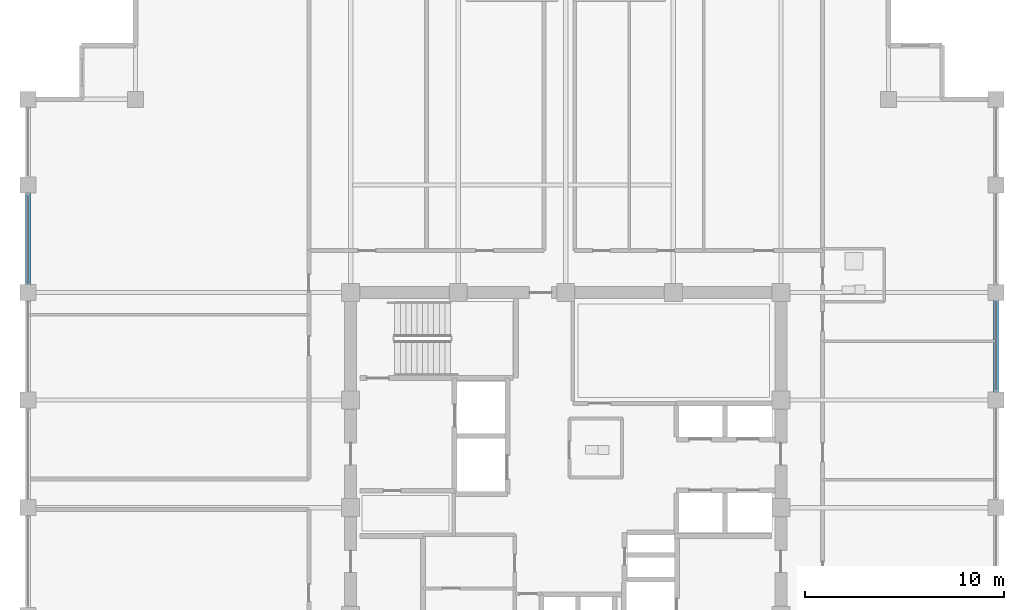
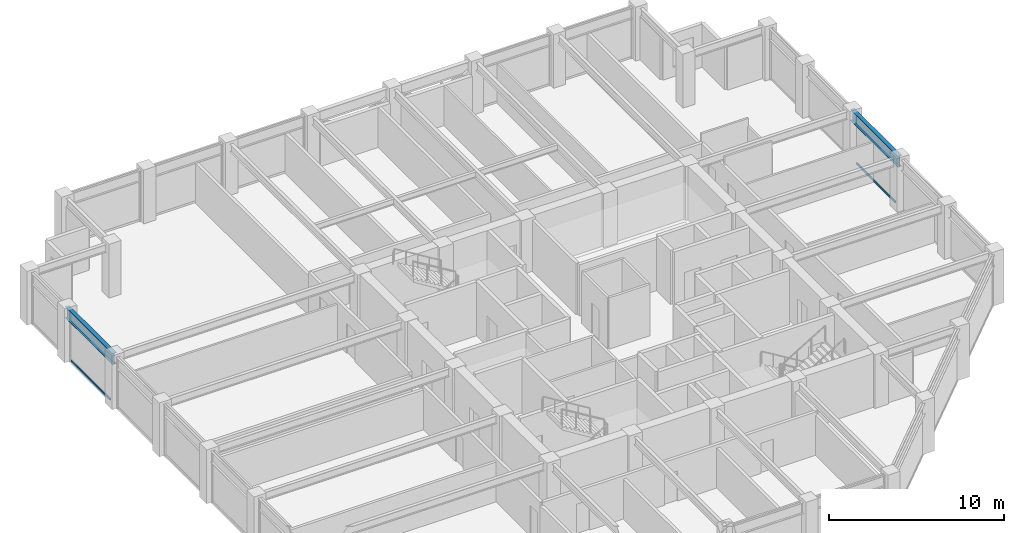
# One storey, part 15 of 32: 2 beams, 2 members, 2 elements without a shape of their own.
"""IFC4 building model written with IfcOpenShell, lengths in metres."""

from ifc_helpers import new_model, si_unit, direction, frame, origin, origin_2d, place, context, subcontext, project, spatial, hollow_rectangle, i_section, extrude, material, layer, layer_set, material_profile, profile_set, type_object, element, aggregate, save


model = new_model("IFC4")

# Units and contexts
model_context = context("Model", 3, precision=1e-05, world=origin(), true_north=direction((0.0, 1.0)))
body_context = subcontext(model_context, "Body", "Model", "MODEL_VIEW")
ifc_project = project(units=[si_unit("LENGTHUNIT", "METRE"), si_unit("AREAUNIT", "SQUARE_METRE"), si_unit("VOLUMEUNIT", "CUBIC_METRE"), si_unit("PLANEANGLEUNIT", "RADIAN"), si_unit("MASSUNIT", "GRAM", prefix="KILO")], contexts=[model_context])

# Site, building, storey
site_placement = place(None, origin())
site = spatial("IfcSite", under=ifc_project, at=site_placement, CompositionType="ELEMENT")
building_placement = place(site_placement, origin())
building = spatial("IfcBuilding", under=site, at=building_placement, Name="Surkhivell Harbour Commons", CompositionType="ELEMENT")
storey_placement = place(building_placement, frame((0.0, 0.0, 216.0)))
storey = spatial("IfcBuildingStorey", under=building, at=storey_placement, Name="L56", CompositionType="ELEMENT", Elevation=216.0)

# Beams
ifc_material_1 = material(Name="Steel S355", Category="steel")
ifc_material_profile_1 = material_profile(ifc_material_1, i_section(OverallWidth=0.26806640625, OverallDepth=0.77001953125, WebThickness=0.015625, FlangeThickness=0.025390625, at=origin_2d()), Name="UB762x267x197")
ifc_profile_set_1 = profile_set([ifc_material_profile_1], Name="Steel S355")
beam_type = type_object("IfcBeamType", Name="BM-SPN-762", PredefinedType="SPANDREL", material=ifc_profile_set_1)
beam_1_placement = place(storey_placement, frame((-27.0, 10.800048828125, 3.18505859375), z_axis=(0.0, 1.0, 0.0), x_axis=(-1.0, 0.0, 0.0)))
element("IfcBeam", 1, at=beam_1_placement, inside=storey, type_object=beam_type, Name="L56 Tube Spandrel (-27.0,10.8)", PredefinedType="SPANDREL", context=body_context, shape_type="SweptSolid", body=[
    extrude(i_section(OverallWidth=0.26806640625, OverallDepth=0.77001953125, WebThickness=0.015625, FlangeThickness=0.025390625, at=origin_2d()), origin(), (0.0, 0.0, 1.0), 5.39990234375),
])
beam_2_placement = place(storey_placement, frame((21.60009765625, 5.39990234375, 3.18505859375), z_axis=(0.0, 1.0, 0.0), x_axis=(-1.0, 0.0, 0.0)))
element("IfcBeam", 2, at=beam_2_placement, inside=storey, type_object=beam_type, Name="L56 Tube Spandrel (21.6,5.4)", PredefinedType="SPANDREL", context=body_context, shape_type="SweptSolid", body=[
    extrude(i_section(OverallWidth=0.26806640625, OverallDepth=0.77001953125, WebThickness=0.015625, FlangeThickness=0.025390625, at=origin_2d()), origin(), (0.0, 0.0, 1.0), 5.400146484375),
])

# Curtain wall, member
ifc_material_2 = material(Name="Anodised pale-metal aluminium and insulated glazing", Category="aluminium")
ifc_layer = layer(ifc_material_2, 0.18994140625)
ifc_layer_set = layer_set([ifc_layer], Name="Anodised pale-metal aluminium and insulated glazing")
curtain_wall_type = type_object("IfcCurtainWallType", Name="CW-SYS-Z3", PredefinedType="NOTDEFINED", material=ifc_layer_set)
curtain_wall_1_placement = place(storey_placement, origin())
curtain_wall_1 = element("IfcCurtainWall", 3, at=curtain_wall_1_placement, inside=storey, type_object=curtain_wall_type, Name="L56 Curtain Wall CW-L56-E02", PredefinedType="NOTDEFINED")
ifc_material_3 = material(Name="Champagne anodised aluminium alloy 6063-T6", Category="aluminium")
ifc_material_profile_2 = material_profile(ifc_material_3, hollow_rectangle(XDim=0.070068359375, YDim=0.1298828125, WallThickness=0.00341796875, at=origin_2d()), Name="ALU-TRAN-70x130")
ifc_profile_set_2 = profile_set([ifc_material_profile_2], Name="Champagne anodised aluminium alloy 6063-T6")
member_type = type_object("IfcMemberType", Name="CWT-130", PredefinedType="USERDEFINED", material=ifc_profile_set_2)
member_1_placement = place(storey_placement, frame((21.60009765625, 5.876953125, 0.06494140625), z_axis=(0.0, 1.0, 0.0), x_axis=(-1.0, 0.0, 0.0)))
member_1 = element("IfcMember", 4, at=member_1_placement, type_object=member_type, Name="CW-Z3 transom 3.1", ObjectType="TRANSOM", PredefinedType="USERDEFINED", context=body_context, shape_type="SweptSolid", body=[
    extrude(hollow_rectangle(XDim=0.070068359375, YDim=0.1298828125, WallThickness=0.00341796875, at=origin_2d()), origin(), (0.0, 0.0, 1.0), 4.446044921875),
])
aggregate(curtain_wall_1, [member_1])

curtain_wall_2_placement = place(storey_placement, origin())
curtain_wall_2 = element("IfcCurtainWall", 5, at=curtain_wall_2_placement, inside=storey, type_object=curtain_wall_type, Name="L56 Curtain Wall CW-L56-E12S1", PredefinedType="NOTDEFINED")
member_2_placement = place(storey_placement, frame((-27.0, 15.722900390625, 0.06494140625), z_axis=(0.0, -1.0, 0.0), x_axis=(1.0, 0.0, 0.0)))
member_2 = element("IfcMember", 6, at=member_2_placement, type_object=member_type, Name="CW-Z3 transom 2.1", ObjectType="TRANSOM", PredefinedType="USERDEFINED", context=body_context, shape_type="SweptSolid", body=[
    extrude(hollow_rectangle(XDim=0.070068359375, YDim=0.1298828125, WallThickness=0.00341796875, at=origin_2d()), origin(), (0.0, 0.0, 1.0), 4.44580078125),
])
aggregate(curtain_wall_2, [member_2])

save(model, "model.ifc")
